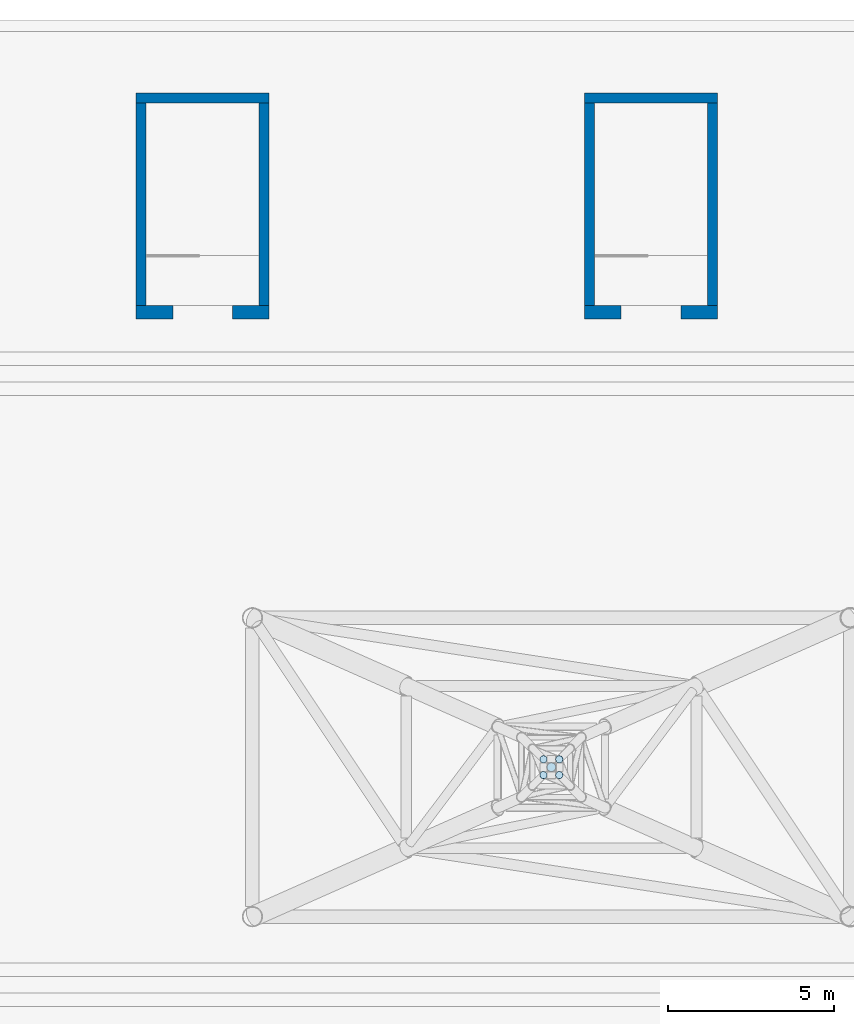
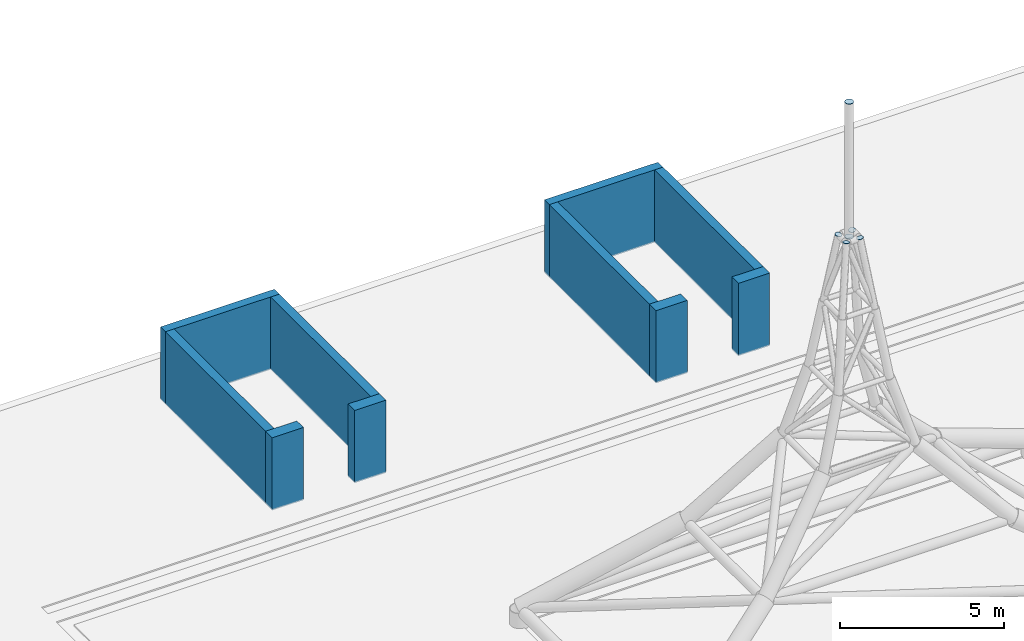
# One storey, part 3 of 4: 10 walls, 6 plates.
"""IFC4 building model written with IfcOpenShell, lengths in metres."""

import ifcopenshell
import ifcopenshell.guid

model = None  # the IFC model being written
_history = None  # IfcOwnerHistory: only IFC2X3 demands one
_inside = {}  # id of a spatial element -> (the spatial element, [elements in it])
_under = {}  # id of a project, library or spatial element -> (it, [spatial elements below it])
_declared = {}  # id of a project -> (the project, [libraries it declares])
_typed = {}  # id of a type object -> (the type object, [elements of that type])
_made_of = {}  # id of a material, layer set ... -> (it, [elements and type objects made of it])


def new_model(schema):
    """Start an empty IFC model of exactly this schema.

    Asked for "IFC4X3", IfcOpenShell would pick the latest addendum, in which some entities
    have other attributes; the version numbers below select the first issue.
    IFC2X3 requires an IfcOwnerHistory on every rooted entity: one is made here for all.
    """
    global model, _history
    if schema == "IFC4X3":
        model = ifcopenshell.file(schema_version=(4, 3, 0, 0))
    else:
        model = ifcopenshell.file(schema=schema)
    _inside.clear()
    _under.clear()
    _declared.clear()
    _typed.clear()
    _made_of.clear()
    _history = None
    if model.schema == "IFC2X3":
        org = make("IfcOrganization", Name="unknown")
        user = make(
            "IfcPersonAndOrganization",
            ThePerson=make("IfcPerson", FamilyName="unknown"),
            TheOrganization=org,
        )
        app = make(
            "IfcApplication",
            ApplicationDeveloper=org,
            Version="unknown",
            ApplicationFullName="unknown",
            ApplicationIdentifier="unknown",
        )
        _history = make(
            "IfcOwnerHistory",
            OwningUser=user,
            OwningApplication=app,
            ChangeAction="ADDED",
            CreationDate=0,
        )
    return model


def make(cls, **values):
    """One entity of the class cls with the attributes given. An attribute that is None is left unset."""
    return model.create_entity(
        cls, **{name: value for name, value in values.items() if value is not None}
    )


def rooted(cls, **values):
    """An entity with a GlobalId (a new one), such as an element, a storey or a relation."""
    return make(cls, GlobalId=ifcopenshell.guid.new(), OwnerHistory=_history, **values)


def si_unit(unit_type, name, prefix=None):
    """IfcSIUnit, for example si_unit("LENGTHUNIT", "METRE", prefix="MILLI")."""
    return make("IfcSIUnit", UnitType=unit_type, Prefix=prefix, Name=name)


def assignment(units):
    """IfcUnitAssignment: the units of a project."""
    return None if units is None else make("IfcUnitAssignment", Units=units)


def point(xyz):
    """IfcCartesianPoint."""
    return None if xyz is None else make("IfcCartesianPoint", Coordinates=xyz)


def direction(xyz):
    """IfcDirection."""
    return None if xyz is None else make("IfcDirection", DirectionRatios=xyz)


def frame(location, z_axis=None, x_axis=None):
    """IfcAxis2Placement3D, a coordinate frame: its origin and axes. An axis left out is left unset."""
    return make(
        "IfcAxis2Placement3D",
        Location=point(location),
        Axis=direction(z_axis),
        RefDirection=direction(x_axis),
    )


def frame_2d(location, x_axis=None):
    """IfcAxis2Placement2D, a coordinate frame in the plane: its origin and x axis."""
    return make(
        "IfcAxis2Placement2D", Location=point(location), RefDirection=direction(x_axis)
    )


def origin():
    """The frame at (0, 0, 0) with its axes left unset."""
    return frame((0.0, 0.0, 0.0))


def origin_2d():
    """The frame at (0, 0) in the plane with its x axis left unset."""
    return frame_2d((0.0, 0.0))


def place(relative_to, where):
    """IfcLocalPlacement: puts the frame where relative to a parent placement (None: the world)."""
    return make(
        "IfcLocalPlacement", PlacementRelTo=relative_to, RelativePlacement=where
    )


def context(
    kind, dimensions, precision=None, world=None, true_north=None, identifier=None
):
    """IfcGeometricRepresentationContext, for example the 3D "Model" context."""
    return make(
        "IfcGeometricRepresentationContext",
        ContextIdentifier=identifier,
        ContextType=kind,
        CoordinateSpaceDimension=dimensions,
        Precision=precision,
        WorldCoordinateSystem=world,
        TrueNorth=true_north,
    )


def subcontext(parent, identifier, kind, view, scale=None):
    """IfcGeometricRepresentationSubContext, for example "Body" below "Model"."""
    return make(
        "IfcGeometricRepresentationSubContext",
        ContextIdentifier=identifier,
        ContextType=kind,
        ParentContext=parent,
        TargetScale=scale,
        TargetView=view,
    )


def project(units=None, contexts=None):
    """IfcProject with its units and contexts."""
    return rooted(
        "IfcProject",
        Name="project",
        RepresentationContexts=contexts,
        UnitsInContext=assignment(units),
    )


def spatial(cls, under=None, at=None, **own):
    """A site, building, storey or space (cls), placed at a placement, below another one or the project."""
    s = rooted(cls, ObjectPlacement=at, **own)
    if under is not None:
        _under.setdefault(under.id(), (under, []))[1].append(s)
    return s


def profile(cls, at=None, kind="AREA", **sizes):
    """A parametric profile (cls). Its sizes go by their IFC names, for example OverallWidth=200.0."""
    return make(cls, ProfileType=kind, Position=at, **sizes)


def rectangle(**sizes):
    """IfcRectangleProfileDef."""
    return profile("IfcRectangleProfileDef", **sizes)


def circle(**sizes):
    """IfcCircleProfileDef."""
    return profile("IfcCircleProfileDef", **sizes)


def extrude(swept, where, along, depth):
    """IfcExtrudedAreaSolid: the profile swept, set in the frame where, extruded along a direction by depth."""
    return make(
        "IfcExtrudedAreaSolid",
        SweptArea=swept,
        Position=where,
        ExtrudedDirection=direction(along),
        Depth=depth,
    )


def shape(context_of_items, identifier, shape_type, items):
    """IfcShapeRepresentation: the items that make up one representation, for example the "Body"."""
    return make(
        "IfcShapeRepresentation",
        ContextOfItems=context_of_items,
        RepresentationIdentifier=identifier,
        RepresentationType=shape_type,
        Items=items,
    )


def material(Name=None, Category=None):
    """IfcMaterial."""
    return make("IfcMaterial", Name=Name, Category=Category)


def layer(
    of_material, thickness, ventilated=None, Name=None, Category=None, Priority=None
):
    """IfcMaterialLayer: one layer of a wall or slab, of a material (None: an air gap)."""
    return make(
        "IfcMaterialLayer",
        Material=of_material,
        LayerThickness=thickness,
        IsVentilated=ventilated,
        Name=Name,
        Category=Category,
        Priority=Priority,
    )


def layer_set(layers, Name=None):
    """IfcMaterialLayerSet."""
    return make("IfcMaterialLayerSet", MaterialLayers=layers, LayerSetName=Name)


def material_profile(
    of_material, cross_section, Name=None, Category=None, Priority=None
):
    """IfcMaterialProfile: a cross section and its material."""
    return make(
        "IfcMaterialProfile",
        Name=Name,
        Material=of_material,
        Profile=cross_section,
        Priority=Priority,
        Category=Category,
    )


def profile_set(profiles, Name=None, composite=None):
    """IfcMaterialProfileSet."""
    return make(
        "IfcMaterialProfileSet",
        Name=Name,
        MaterialProfiles=profiles,
        CompositeProfile=composite,
    )


def made_of(thing, what):
    """Note that an element or type object is made of a material, layer set ...; save() writes the relation."""
    if what is not None:
        _made_of.setdefault(what.id(), (what, []))[1].append(thing)
    return thing


def type_object(cls, material=None, **own):
    """A type object (cls), such as IfcWallType, which elements share."""
    return made_of(rooted(cls, **own), material)


def element(
    cls,
    number,
    at=None,
    inside=None,
    cuts=None,
    type_object=None,
    material=None,
    context=None,
    identifier="Body",
    shape_type=None,
    held_by="IfcProductDefinitionShape",
    body=None,
    shapes=None,
    **own,
):
    """One element of the class cls, such as IfcWall. Its Tag is "e" and its number.

    at: its placement. inside: the storey or other place that contains it. cuts: it is an
    opening in that element (IfcRelVoidsElement). A single representation is given by context,
    identifier, shape_type and body (its items); several are given by shapes. held_by: the class
    of the entity that holds the representations. save() writes the other relations.
    """
    e = rooted(cls, Tag="e%d" % number, ObjectPlacement=at, **own)
    if body is not None:
        shapes = [shape(context, identifier, shape_type, body)]
    if shapes is not None:
        e.Representation = make(held_by, Representations=shapes)
    if inside is not None:
        _inside.setdefault(inside.id(), (inside, []))[1].append(e)
    if cuts is not None:
        rooted(
            "IfcRelVoidsElement", RelatingBuildingElement=cuts, RelatedOpeningElement=e
        )
    if type_object is not None:
        _typed.setdefault(type_object.id(), (type_object, []))[1].append(e)
    return made_of(e, material)


def aggregate(whole, parts):
    """IfcRelAggregates: a whole, such as a stair, and the parts it consists of."""
    return rooted("IfcRelAggregates", RelatingObject=whole, RelatedObjects=parts)


def save(model, path):
    """Write the relations noted so far, then the file.

    IfcRelAggregates (storeys below a building ...), IfcRelContainedInSpatialStructure (elements
    in a storey), IfcRelDefinesByType, IfcRelAssociatesMaterial and IfcRelDeclares: one each for
    every whole, place, type object, material and project.
    """
    for whole, parts in _under.values():
        aggregate(whole, parts)
    for where, things in _inside.values():
        rooted(
            "IfcRelContainedInSpatialStructure",
            RelatedElements=things,
            RelatingStructure=where,
        )
    for kind, things in _typed.values():
        rooted("IfcRelDefinesByType", RelatedObjects=things, RelatingType=kind)
    for what, things in _made_of.values():
        rooted("IfcRelAssociatesMaterial", RelatedObjects=things, RelatingMaterial=what)
    for by, libraries in _declared.values():
        rooted("IfcRelDeclares", RelatingContext=by, RelatedDefinitions=libraries)
    model.write(path)


model = new_model("IFC4")

# Units and contexts
model_context = context("Model", 3, precision=1e-05, world=origin(), true_north=direction((0.0, 1.0)))
body_context = subcontext(model_context, "Body", "Model", "MODEL_VIEW")
ifc_project = project(units=[si_unit("LENGTHUNIT", "METRE"), si_unit("AREAUNIT", "SQUARE_METRE"), si_unit("VOLUMEUNIT", "CUBIC_METRE"), si_unit("PLANEANGLEUNIT", "RADIAN"), si_unit("MASSUNIT", "GRAM", prefix="KILO")], contexts=[model_context])

# Site, building, storey
site_placement = place(None, origin())
site = spatial("IfcSite", under=ifc_project, at=site_placement, CompositionType="ELEMENT")
building_placement = place(site_placement, origin())
building = spatial("IfcBuilding", under=site, at=building_placement, Name="Calvaro Tower", CompositionType="ELEMENT")
storey_placement = place(building_placement, frame((0.0, 0.0, 277.949951171875)))
storey = spatial("IfcBuildingStorey", under=building, at=storey_placement, Name="ROOF", CompositionType="ELEMENT", Elevation=277.949951171875)

# Plates
ifc_material_1 = material(Name="Steel S355", Category="steel")
ifc_material_profile_1 = material_profile(ifc_material_1, circle(Radius=0.109619140625, at=origin_2d()), Name="CIRCLE 219.1")
ifc_profile_set_1 = profile_set([ifc_material_profile_1], Name="Steel S355")
plate_type_1 = type_object("IfcPlateType", Name="Mast leg cap plate 219.1x16", PredefinedType="USERDEFINED", material=ifc_profile_set_1)
for number, where, z_axis, x_axis, name in (
    (1, (35.760009765625, 14.260009765625, 14.0), (0.135880986824, 0.135880986824, 0.98136268262), (-0.707106781187, 0.707106781187, 0.0), "MAST LEG 5A CAP PLATE"),
    (2, (36.239990234375, 14.260009765625, 14.0), (-0.135880986824, 0.135880986824, 0.98136268262), (-0.707106781187, -0.707106781187, 0.0), "MAST LEG 5B CAP PLATE"),
    (3, (36.239990234375, 14.739990234375, 14.0), (-0.135880986824, -0.135880986824, 0.98136268262), (0.707106781187, -0.707106781187, 0.0), "MAST LEG 5C CAP PLATE"),
    (4, (35.760009765625, 14.739990234375, 14.0), (0.135880986824, -0.135880986824, 0.98136268262), (0.707106781187, 0.707106781187, 0.0), "MAST LEG 5D CAP PLATE"),
):
    element("IfcPlate", number, at=place(storey_placement, frame(where, z_axis=z_axis, x_axis=x_axis)), inside=storey, type_object=plate_type_1, Name=name, ObjectType="CAP PLATE", PredefinedType="USERDEFINED", context=body_context, shape_type="SweptSolid", body=[
        extrude(circle(Radius=0.109619140625, at=origin_2d()), origin(), (0.0, 0.0, 1.0), 0.01611328125),
    ])
ifc_material_2 = material(Name="Steel S355", Category="steel")
ifc_material_profile_2 = material_profile(ifc_material_2, circle(Radius=0.136474609375, at=origin_2d()), Name="CIRCLE 273")
ifc_profile_set_2 = profile_set([ifc_material_profile_2], Name="Steel S355")
plate_type_2 = type_object("IfcPlateType", Name="Mast whip cap plate 273x16", PredefinedType="USERDEFINED", material=ifc_profile_set_2)
plate_1_placement = place(storey_placement, frame((36.0, 14.5, 13.984130859375), z_axis=(0.0, 0.0, 1.0), x_axis=(1.0, 0.0, 0.0)))
element("IfcPlate", 5, at=plate_1_placement, inside=storey, type_object=plate_type_2, Name="MAST WHIP BASE PLATE", ObjectType="CAP PLATE", PredefinedType="USERDEFINED", context=body_context, shape_type="SweptSolid", body=[
    extrude(circle(Radius=0.136474609375, at=origin_2d()), origin(), (0.0, 0.0, 1.0), 0.015869140625),
])
plate_2_placement = place(storey_placement, frame((36.0, 14.5, 19.0), z_axis=(0.0, 0.0, 1.0), x_axis=(1.0, 0.0, 0.0)))
element("IfcPlate", 6, at=plate_2_placement, inside=storey, type_object=plate_type_2, Name="MAST WHIP CAP PLATE", ObjectType="CAP PLATE", PredefinedType="USERDEFINED", context=body_context, shape_type="SweptSolid", body=[
    extrude(circle(Radius=0.136474609375, at=origin_2d()), origin(), (0.0, 0.0, 1.0), 0.01611328125),
])

# Walls
ifc_material_3 = material(Name="Concrete C40/50", Category="concrete")
ifc_layer_1 = layer(ifc_material_3, 0.300048828125)
ifc_layer_set_1 = layer_set([ifc_layer_1], Name="Concrete C40/50")
wall_type_1 = type_object("IfcWallType", Name="External core wall C40/50 300", PredefinedType="SHEAR", material=ifc_layer_set_1)
for number, where, z_axis, x_axis, name in (
    (7, (23.64990234375, 28.39990234375, 0.0), (0.0, 0.0, 1.0), (0.0, 1.0, 0.0), "Stair head wall"),
    (8, (27.35009765625, 28.39990234375, 0.0), (0.0, 0.0, 1.0), (0.0, 1.0, 0.0), "Stair head wall"),
):
    element("IfcWall", number, at=place(storey_placement, frame(where, z_axis=z_axis, x_axis=x_axis)), inside=storey, type_object=wall_type_1, Name=name, PredefinedType="SHEAR", context=body_context, shape_type="SweptSolid", body=[
        extrude(rectangle(XDim=6.10009765625, YDim=0.300048828125, at=frame_2d((3.050048828125, 0.0))), origin(), (0.0, 0.0, 1.0), 2.699951171875),
    ])
wall_1_placement = place(storey_placement, frame((23.5, 34.64990234375, 0.0), z_axis=(0.0, 0.0, 1.0), x_axis=(1.0, 0.0, 0.0)))
element("IfcWall", 9, at=wall_1_placement, inside=storey, type_object=wall_type_1, Name="Stair head wall", PredefinedType="SHEAR", context=body_context, shape_type="SweptSolid", body=[
    extrude(rectangle(XDim=4.0, YDim=0.300048828125, at=frame_2d((2.0, 0.0))), origin(), (0.0, 0.0, 1.0), 2.699951171875),
])
for number, where, z_axis, x_axis, name in (
    (10, (37.14990234375, 28.39990234375, 0.0), (0.0, 0.0, 1.0), (0.0, 1.0, 0.0), "Stair head wall"),
    (11, (40.85009765625, 28.39990234375, 0.0), (0.0, 0.0, 1.0), (0.0, 1.0, 0.0), "Stair head wall"),
):
    element("IfcWall", number, at=place(storey_placement, frame(where, z_axis=z_axis, x_axis=x_axis)), inside=storey, type_object=wall_type_1, Name=name, PredefinedType="SHEAR", context=body_context, shape_type="SweptSolid", body=[
        extrude(rectangle(XDim=6.10009765625, YDim=0.300048828125, at=frame_2d((3.050048828125, 0.0))), origin(), (0.0, 0.0, 1.0), 2.699951171875),
    ])
wall_2_placement = place(storey_placement, frame((37.0, 34.64990234375, 0.0), z_axis=(0.0, 0.0, 1.0), x_axis=(1.0, 0.0, 0.0)))
element("IfcWall", 12, at=wall_2_placement, inside=storey, type_object=wall_type_1, Name="Stair head wall", PredefinedType="SHEAR", context=body_context, shape_type="SweptSolid", body=[
    extrude(rectangle(XDim=4.0, YDim=0.300048828125, at=frame_2d((2.0, 0.0))), origin(), (0.0, 0.0, 1.0), 2.699951171875),
])
ifc_material_4 = material(Name="Concrete C40/50", Category="concrete")
ifc_layer_2 = layer(ifc_material_4, 0.39990234375)
ifc_layer_set_2 = layer_set([ifc_layer_2], Name="Concrete C40/50")
wall_type_2 = type_object("IfcWallType", Name="External core wall C40/50 400", PredefinedType="SHEAR", material=ifc_layer_set_2)
for number, where, z_axis, x_axis, name in (
    (13, (23.5, 28.199951171875, 0.0), (0.0, 0.0, 1.0), (1.0, 0.0, 0.0), "Stair head wall"),
    (14, (26.39990234375, 28.199951171875, 0.0), (0.0, 0.0, 1.0), (1.0, 0.0, 0.0), "Stair head wall"),
    (15, (37.0, 28.199951171875, 0.0), (0.0, 0.0, 1.0), (1.0, 0.0, 0.0), "Stair head wall"),
    (16, (39.89990234375, 28.199951171875, 0.0), (0.0, 0.0, 1.0), (1.0, 0.0, 0.0), "Stair head wall"),
):
    element("IfcWall", number, at=place(storey_placement, frame(where, z_axis=z_axis, x_axis=x_axis)), inside=storey, type_object=wall_type_2, Name=name, PredefinedType="SHEAR", context=body_context, shape_type="SweptSolid", body=[
        extrude(rectangle(XDim=1.10009765625, YDim=0.39990234375, at=frame_2d((0.550048828125, 0.0))), origin(), (0.0, 0.0, 1.0), 2.699951171875),
    ])

save(model, "model.ifc")
